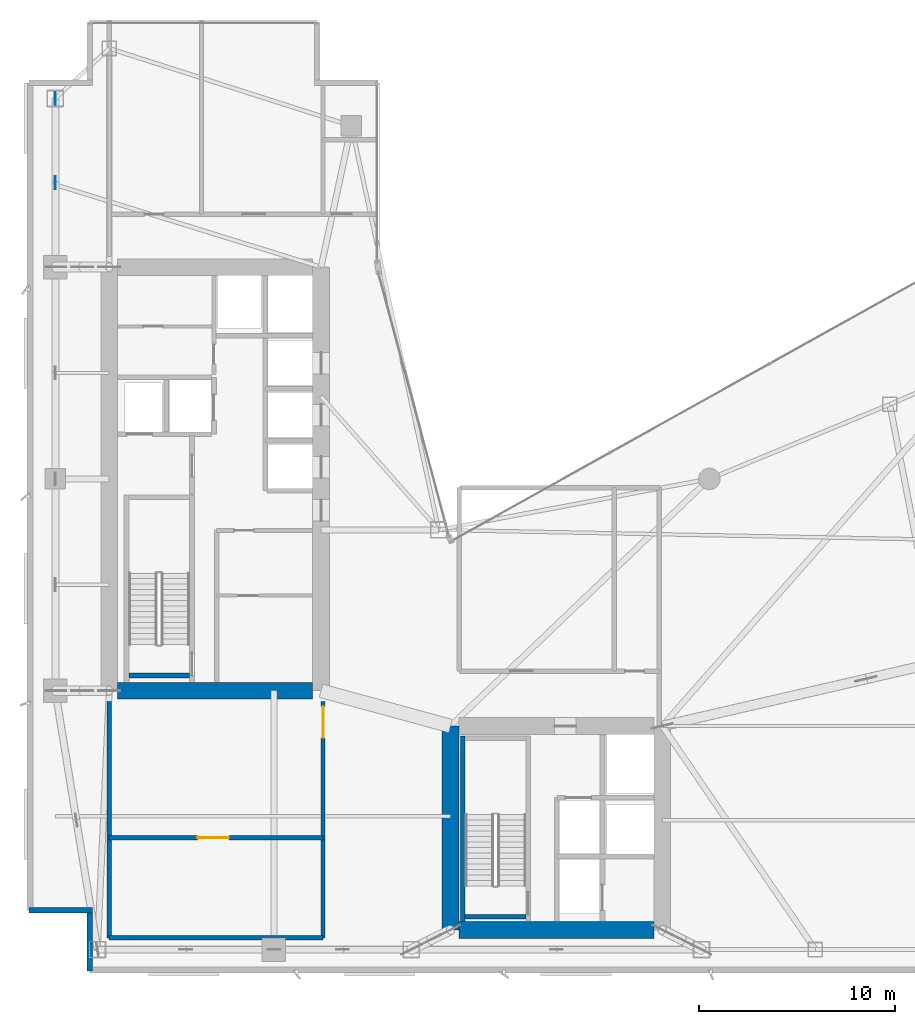
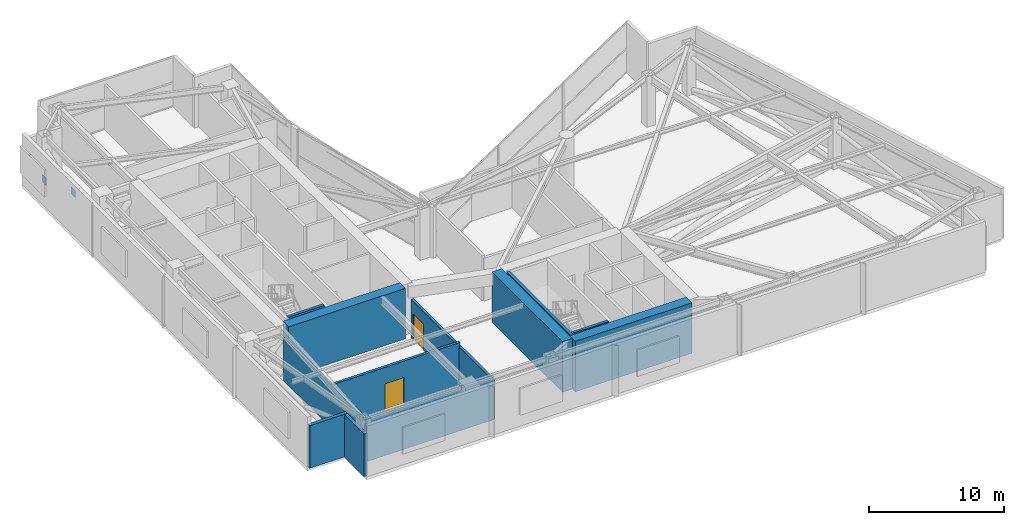
# One storey, part 14 of 19: 12 walls, 2 doors, 2 plates, 2 openings.
"""IFC4 building model written with IfcOpenShell, lengths in metres."""

from ifc_helpers import new_model, si_unit, direction, frame, frame_2d, origin, origin_2d, place, context, subcontext, project, spatial, rectangle, extrude, material, layer, layer_set, type_object, element, fill, save


model = new_model("IFC4")

# Units and contexts
model_context = context("Model", 3, precision=1e-05, world=origin(), true_north=direction((0.0, 1.0)))
body_context = subcontext(model_context, "Body", "Model", "MODEL_VIEW")
ifc_project = project(units=[si_unit("LENGTHUNIT", "METRE"), si_unit("AREAUNIT", "SQUARE_METRE"), si_unit("VOLUMEUNIT", "CUBIC_METRE"), si_unit("PLANEANGLEUNIT", "RADIAN"), si_unit("MASSUNIT", "GRAM", prefix="KILO")], contexts=[model_context])

# Site, building, storey
site_placement = place(None, origin())
site = spatial("IfcSite", under=ifc_project, at=site_placement, CompositionType="ELEMENT")
building_placement = place(site_placement, origin())
building = spatial("IfcBuilding", under=site, at=building_placement, Name="Calvorn Quay Hotel", CompositionType="ELEMENT")
storey_placement = place(building_placement, frame((0.0, 0.0, 139.199951171875)))
storey = spatial("IfcBuildingStorey", under=building, at=storey_placement, Name="L34", CompositionType="ELEMENT", Elevation=139.199951171875)

# Plates
ifc_material_1 = material(Name="Steel Q390GJC", Category="steel")
ifc_layer_1 = layer(ifc_material_1, 0.035888671875)
ifc_layer_set_1 = layer_set([ifc_layer_1], Name="PLT-GUSSET-36")
plate_type = type_object("IfcPlateType", Name="PLT-GUSSET-36", PredefinedType="SHEET", material=ifc_layer_set_1)
for number, where, z_axis, x_axis, name in (
    (1, (1.449951171875, 42.699951171875, 1.52001953125), (0.0, 0.0, 1.0), (0.0, 1.0, 0.0), "Belt Truss Gusset Plate L34-BW4-X"),
    (2, (1.449951171875, 47.0, 0.025146484375), (0.0, 0.0, 1.0), (0.0, 1.0, 0.0), "Belt Truss Gusset Plate L34-BW4-B"),
):
    element("IfcPlate", number, at=place(storey_placement, frame(where, z_axis=z_axis, x_axis=x_axis)), inside=storey, type_object=plate_type, Name=name, PredefinedType="SHEET", context=body_context, shape_type="SweptSolid", body=[
        extrude(rectangle(XDim=0.64990234375, YDim=0.035888671875, at=origin_2d()), origin(), (0.0, 0.0, 1.0), 0.64990234375),
    ])

# Walls
ifc_material_2 = material(Name="Concrete C50", Category="concrete")
ifc_layer_2 = layer(ifc_material_2, 0.85009765625)
ifc_layer_set_2 = layer_set([ifc_layer_2], Name="WL-CORE-850")
wall_type_1 = type_object("IfcWallType", Name="WL-CORE-850", PredefinedType="SHEAR", material=ifc_layer_set_2)
wall_1_placement = place(storey_placement, frame((4.625, 16.800048828125, 0.0), z_axis=(0.0, 0.0, 1.0), x_axis=(1.0, 0.0, 0.0)))
element("IfcWall", 3, at=wall_1_placement, inside=storey, type_object=wall_type_1, Name="West Core Shear Wall S (L34)", PredefinedType="SHEAR", context=body_context, shape_type="SweptSolid", body=[
    extrude(rectangle(XDim=9.949951171875, YDim=0.85009765625, at=frame_2d((4.97509765625, 0.0))), origin(), (0.0, 0.0, 1.0), 4.56005859375),
])
wall_2_placement = place(storey_placement, frame((21.60009765625, 4.60009765625, 0.0), z_axis=(0.0, 0.0, 1.0), x_axis=(0.0, 1.0, 0.0)))
element("IfcWall", 4, at=wall_2_placement, inside=storey, type_object=wall_type_1, Name="East Core Shear Wall W (L34)", PredefinedType="SHEAR", context=body_context, shape_type="SweptSolid", body=[
    extrude(rectangle(XDim=10.39990234375, YDim=0.85009765625, at=frame_2d((5.199951171875, 0.0))), origin(), (0.0, 0.0, 1.0), 4.56005859375),
])
wall_3_placement = place(storey_placement, frame((22.02490234375, 4.60009765625, 0.0), z_axis=(0.0, 0.0, 1.0), x_axis=(1.0, 0.0, 0.0)))
element("IfcWall", 5, at=wall_3_placement, inside=storey, type_object=wall_type_1, Name="East Core Shear Wall S (L34)", PredefinedType="SHEAR", context=body_context, shape_type="SweptSolid", body=[
    extrude(rectangle(XDim=9.9501953125, YDim=0.85009765625, at=frame_2d((4.97509765625, 0.0))), origin(), (0.0, 0.0, 1.0), 4.56005859375),
])
ifc_material_3 = material(Name="Concrete C40", Category="concrete")
ifc_layer_3 = layer(ifc_material_3, 0.320068359375)
ifc_layer_set_3 = layer_set([ifc_layer_3], Name="WL-EXT-SPANDREL-320")
wall_type_2 = type_object("IfcWallType", Name="WL-EXT-SPANDREL-320", PredefinedType="SOLIDWALL", material=ifc_layer_set_3)
wall_4_placement = place(storey_placement, frame((0.1201171875, 5.60009765625, 0.0), z_axis=(0.0, 0.0, 1.0), x_axis=(1.0, 0.0, 0.0)))
element("IfcWall", 6, at=wall_4_placement, inside=storey, type_object=wall_type_2, Name="Notched Corner Spandrel L34-SW1", PredefinedType="SOLIDWALL", context=body_context, shape_type="SweptSolid", body=[
    extrude(rectangle(XDim=3.219970703125, YDim=0.280029296875, at=frame_2d((1.60986328125, 0.0))), origin(), (0.0, 0.0, 1.0), 3.840087890625),
])
wall_5_placement = place(storey_placement, frame((3.199951171875, 5.4599609375, 0.0), z_axis=(0.0, 0.0, 1.0), x_axis=(0.0, -1.0, 0.0)))
element("IfcWall", 7, at=wall_5_placement, inside=storey, type_object=wall_type_2, Name="Notched Corner Spandrel L34-SW2", PredefinedType="SOLIDWALL", context=body_context, shape_type="SweptSolid", body=[
    extrude(rectangle(XDim=2.93994140625, YDim=0.280029296875, at=frame_2d((1.469970703125, 0.0))), origin(), (0.0, 0.0, 1.0), 3.840087890625),
])
ifc_material_4 = material(Name="Autoclaved Aerated Masonry Block", Category="masonry")
ifc_layer_4 = layer(ifc_material_4, 0.219970703125)
ifc_layer_set_4 = layer_set([ifc_layer_4], Name="WL-LOBBY-FIRE-220")
wall_type_3 = type_object("IfcWallType", Name="WL-LOBBY-FIRE-220", PredefinedType="SOLIDWALL", material=ifc_layer_set_4)
wall_6_placement = place(storey_placement, frame((4.199951171875, 4.199951171875, 0.0), z_axis=(0.0, 0.0, 1.0), x_axis=(0.0, 1.0, 0.0)))
element("IfcWall", 8, at=wall_6_placement, inside=storey, type_object=wall_type_3, Name="Partition Wall L34-WL-RF-BELT-W", PredefinedType="SOLIDWALL", context=body_context, shape_type="SweptSolid", body=[
    extrude(rectangle(XDim=12.050048828125, YDim=0.219970703125, at=frame_2d((6.02490234375, 0.0))), origin(), (0.0, 0.0, 1.0), 3.840087890625),
])
wall_7_placement = place(storey_placement, frame((4.199951171875, 4.199951171875, 0.0), z_axis=(0.0, 0.0, 1.0), x_axis=(1.0, 0.0, 0.0)))
element("IfcWall", 9, at=wall_7_placement, inside=storey, type_object=wall_type_3, Name="Partition Wall L34-WL-RF-BELT-S", PredefinedType="SOLIDWALL", context=body_context, shape_type="SweptSolid", body=[
    extrude(rectangle(XDim=10.900146484375, YDim=0.219970703125, at=frame_2d((5.4501953125, 0.0))), origin(), (0.0, 0.0, 1.0), 3.840087890625),
])

# Wall, opening, door
wall_8_placement = place(storey_placement, frame((4.199951171875, 9.300048828125, 0.0), z_axis=(0.0, 0.0, 1.0), x_axis=(1.0, 0.0, 0.0)))
wall_8 = element("IfcWall", 10, at=wall_8_placement, inside=storey, type_object=wall_type_3, Name="Partition Wall L34-WL-RF-PLT-M", PredefinedType="SOLIDWALL", context=body_context, shape_type="SweptSolid", body=[
    extrude(rectangle(XDim=10.900146484375, YDim=0.219970703125, at=frame_2d((5.4501953125, 0.0))), origin(), (0.0, 0.0, 1.0), 3.840087890625),
])
opening_1_placement = place(wall_8_placement, frame((4.5, 0.0, 0.0)))
opening_1 = element("IfcOpeningElement", 11, at=opening_1_placement, cuts=wall_8, Name="Opening D-L34-P2", PredefinedType="OPENING", context=body_context, shape_type="SweptSolid", body=[
    extrude(rectangle(XDim=1.60009765625, YDim=2.35009765625, at=frame_2d((0.800048828125, 1.175048828125))), frame((0.0, 0.119873046875, 0.0), z_axis=(0.0, -1.0, 0.0), x_axis=(1.0, 0.0, 0.0)), (0.0, 0.0, 1.0), 0.239990234375),
])
ifc_material_5 = material(Name="Heavy-Duty Steel Acoustic Plant Fire Door", Category="steel")
door_type = type_object("IfcDoorType", Name="DR-PLANT-DBL-1600", OperationType="NOTDEFINED", PredefinedType="DOOR", material=ifc_material_5)
door_1_placement = place(opening_1_placement, origin())
door_1 = element("IfcDoor", 12, at=door_1_placement, inside=storey, type_object=door_type, Name="Fire Pump Room Door", OperationType="SINGLE_SWING_RIGHT", OverallHeight=2.35009765625, OverallWidth=1.60009765625, PredefinedType="DOOR", context=body_context, shape_type="SweptSolid", body=[
    extrude(rectangle(XDim=1.60009765625, YDim=2.35009765625, at=frame_2d((0.800048828125, 1.175048828125))), frame((0.0, 0.02490234375, 0.0), z_axis=(0.0, -1.0, 0.0), x_axis=(1.0, 0.0, 0.0)), (0.0, 0.0, 1.0), 0.050048828125),
])
fill(opening_1, door_1)

wall_9_placement = place(storey_placement, frame((15.10009765625, 4.199951171875, 0.0), z_axis=(0.0, 0.0, 1.0), x_axis=(0.0, 1.0, 0.0)))
wall_9 = element("IfcWall", 13, at=wall_9_placement, inside=storey, type_object=wall_type_3, Name="Partition Wall L34-WL-RF-PLT-E", PredefinedType="SOLIDWALL", context=body_context, shape_type="SweptSolid", body=[
    extrude(rectangle(XDim=12.050048828125, YDim=0.219970703125, at=frame_2d((6.02490234375, 0.0))), origin(), (0.0, 0.0, 1.0), 3.489990234375),
])
opening_2_placement = place(wall_9_placement, frame((10.199951171875, 0.0, 0.0)))
opening_2 = element("IfcOpeningElement", 14, at=opening_2_placement, cuts=wall_9, Name="Opening D-L34-P1", PredefinedType="OPENING", context=body_context, shape_type="SweptSolid", body=[
    extrude(rectangle(XDim=1.60009765625, YDim=2.35009765625, at=frame_2d((0.800048828125, 1.175048828125))), frame((0.0, 0.119873046875, 0.0), z_axis=(0.0, -1.0, 0.0), x_axis=(1.0, 0.0, 0.0)), (0.0, 0.0, 1.0), 0.239990234375),
])
door_2_placement = place(opening_2_placement, origin())
door_2 = element("IfcDoor", 15, at=door_2_placement, inside=storey, type_object=door_type, Name="HVAC Plant Fire Door", OperationType="SINGLE_SWING_LEFT", OverallHeight=2.35009765625, OverallWidth=1.60009765625, PredefinedType="DOOR", context=body_context, shape_type="SweptSolid", body=[
    extrude(rectangle(XDim=1.60009765625, YDim=2.35009765625, at=frame_2d((0.800048828125, 1.175048828125))), frame((0.0, 0.02490234375, 0.0), z_axis=(0.0, -1.0, 0.0), x_axis=(1.0, 0.0, 0.0)), (0.0, 0.0, 1.0), 0.050048828125),
])
fill(opening_2, door_2)

# Walls
ifc_material_6 = material(Name="Concrete C40", Category="concrete")
ifc_layer_5 = layer(ifc_material_6, 0.239990234375)
ifc_layer_set_5 = layer_set([ifc_layer_5], Name="WL-SHAFT-240")
wall_type_4 = type_object("IfcWallType", Name="WL-SHAFT-240", PredefinedType="SOLIDWALL", material=ifc_layer_set_5)
wall_10_placement = place(storey_placement, frame((5.199951171875, 17.580078125, 0.0), z_axis=(0.0, 0.0, 1.0), x_axis=(1.0, 0.0, 0.0)))
element("IfcWall", 16, at=wall_10_placement, inside=storey, type_object=wall_type_4, Name="Stair STW Shaft Wall S (L34)", PredefinedType="SOLIDWALL", context=body_context, shape_type="SweptSolid", body=[
    extrude(rectangle(XDim=3.10009765625, YDim=0.239990234375, at=frame_2d((1.550048828125, 0.0))), origin(), (0.0, 0.0, 1.0), 4.56005859375),
])
wall_11_placement = place(storey_placement, frame((22.22998046875, 5.02490234375, 0.0), z_axis=(0.0, 0.0, 1.0), x_axis=(0.0, 1.0, 0.0)))
element("IfcWall", 17, at=wall_11_placement, inside=storey, type_object=wall_type_4, Name="Stair STE Shaft Wall W (L34)", PredefinedType="SOLIDWALL", context=body_context, shape_type="SweptSolid", body=[
    extrude(rectangle(XDim=9.465087890625, YDim=0.239990234375, at=frame_2d((4.732421875, 0.0))), origin(), (0.0, 0.0, 1.0), 4.56005859375),
])
wall_12_placement = place(storey_placement, frame((22.35009765625, 5.280029296875, 0.0), z_axis=(0.0, 0.0, 1.0), x_axis=(1.0, 0.0, 0.0)))
element("IfcWall", 18, at=wall_12_placement, inside=storey, type_object=wall_type_4, Name="Stair STE Shaft Wall S (L34)", PredefinedType="SOLIDWALL", context=body_context, shape_type="SweptSolid", body=[
    extrude(rectangle(XDim=3.099853515625, YDim=0.239990234375, at=frame_2d((1.5498046875, 0.0))), origin(), (0.0, 0.0, 1.0), 4.56005859375),
])

save(model, "model.ifc")
